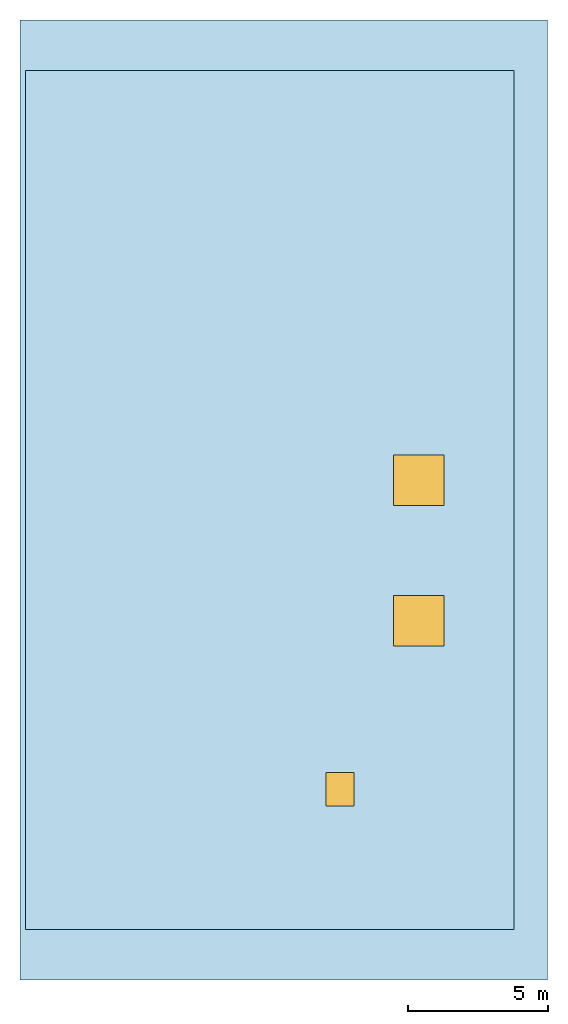
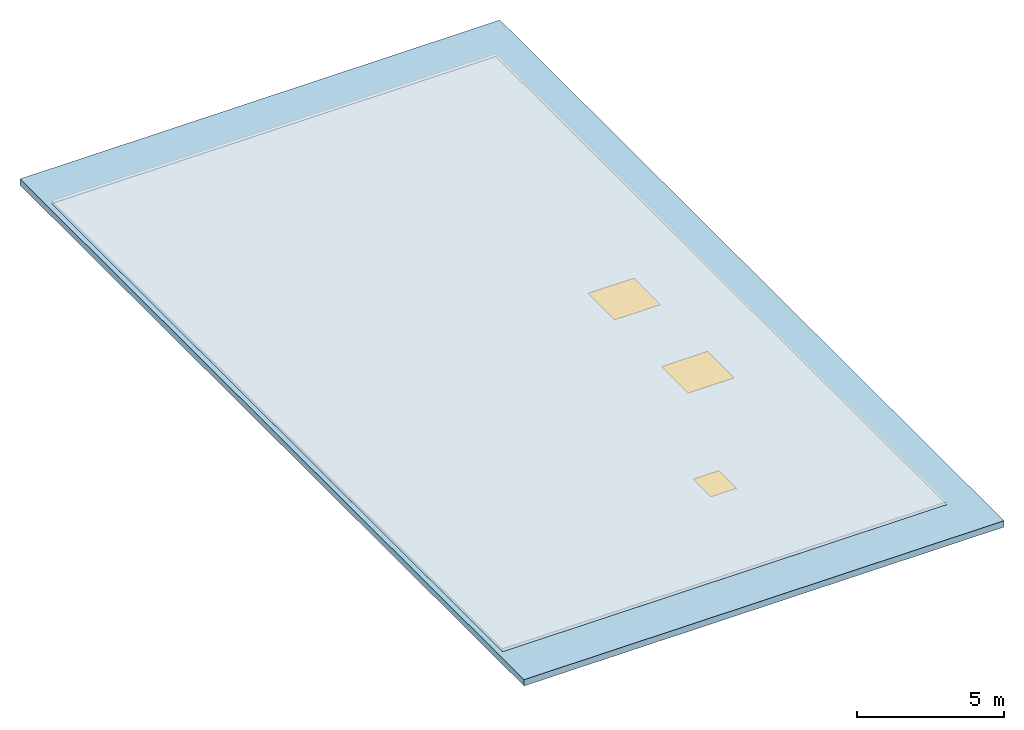
# One storey, part 1 of 2: 3 windows, 2 slabs, 3 openings.
"""IFC4 building model written with IfcOpenShell, lengths in metres."""

from ifc_helpers import new_model, entity, si_unit, converted_unit, direction, frame, origin_with_axes, origin_2d_with_axis, place, context, subcontext, project, spatial, polyline, rectangle, outline, extrude, material, layer, layer_set, type_object, element, fill, save


model = new_model("IFC4")

# Units and contexts
model_context = context("Model", 3, precision=1e-05, world=origin_with_axes(), true_north=direction((0.0, 1.0)))
body_context = subcontext(model_context, "Body", "Model", "MODEL_VIEW")
ifc_project = project(units=[si_unit("LENGTHUNIT", "METRE"), si_unit("AREAUNIT", "SQUARE_METRE"), si_unit("VOLUMEUNIT", "CUBIC_METRE"), converted_unit("PLANEANGLEUNIT", "DEGREE", entity("IfcPlaneAngleMeasure", 0.017453292519943295), si_unit("PLANEANGLEUNIT", "RADIAN"), dimensions=[0, 0, 0, 0, 0, 0, 0]), si_unit("MASSUNIT", "GRAM", prefix="KILO"), si_unit("THERMODYNAMICTEMPERATUREUNIT", "KELVIN")], contexts=[model_context])

# Site, building, storey
site_placement = place(None, origin_with_axes())
site = spatial("IfcSite", under=ifc_project, at=site_placement, CompositionType="ELEMENT")
building_placement = place(site_placement, origin_with_axes())
building = spatial("IfcBuilding", under=site, at=building_placement, Name="Varnlund Millrace Tower", CompositionType="ELEMENT")
storey_placement = place(building_placement, frame((0.0, 0.0, 336.0), z_axis=(0.0, 0.0, 1.0), x_axis=(1.0, 0.0, 0.0)))
storey = spatial("IfcBuildingStorey", under=building, at=storey_placement, Name="RF", CompositionType="ELEMENT", Elevation=336.0)

# Slab, openings, windows
ifc_material_1 = material(Name="Concrete C50/60", Category="concrete")
ifc_layer = layer(ifc_material_1, 0.26, Name="Concrete C50/60")
ifc_layer_set = layer_set([ifc_layer], Name="Concrete C50/60")
slab_type = type_object("IfcSlabType", Name="Type-Cap-Deck-Crown-260", PredefinedType="ROOF", material=ifc_layer_set)
slab_1_placement = place(storey_placement, frame((0.0, 0.0, -0.26), z_axis=(0.0, 0.0, 1.0), x_axis=(1.0, 0.0, 0.0)))
slab_1 = element("IfcSlab", 1, at=slab_1_placement, inside=storey, type_object=slab_type, Name="Type-Cap-Deck-Crown-260", PredefinedType="ROOF", context=body_context, shape_type="SweptSolid", body=[
    extrude(outline(polyline([(28.2, 9.0), (28.2, 39.6), (10.8, 39.6), (10.8, 9.0), (28.2, 9.0)])), origin_with_axes(), (0.0, 0.0, 1.0), 0.26),
])
opening_1_placement = place(storey_placement, frame((24.8, 20.0, -0.27), z_axis=(0.0, 0.0, 1.0), x_axis=(1.0, 0.0, 0.0)))
opening_1 = element("IfcOpeningElement", 2, at=opening_1_placement, cuts=slab_1, Name="Opening RF:SK-01", PredefinedType="OPENING", context=body_context, shape_type="SweptSolid", body=[
    extrude(rectangle(XDim=1.8, YDim=1.8, at=origin_2d_with_axis()), origin_with_axes(), (0.0, 0.0, 1.0), 0.28),
])
opening_2_placement = place(storey_placement, frame((24.8, 25.0, -0.27), z_axis=(0.0, 0.0, 1.0), x_axis=(1.0, 0.0, 0.0)))
opening_2 = element("IfcOpeningElement", 3, at=opening_2_placement, cuts=slab_1, Name="Opening RF:SK-02", PredefinedType="OPENING", context=body_context, shape_type="SweptSolid", body=[
    extrude(rectangle(XDim=1.8, YDim=1.8, at=origin_2d_with_axis()), origin_with_axes(), (0.0, 0.0, 1.0), 0.28),
])
opening_3_placement = place(storey_placement, frame((22.0, 14.0, -0.27), z_axis=(0.0, 0.0, 1.0), x_axis=(1.0, 0.0, 0.0)))
opening_3 = element("IfcOpeningElement", 4, at=opening_3_placement, cuts=slab_1, Name="Opening RF:SK-RH1", PredefinedType="OPENING", context=body_context, shape_type="SweptSolid", body=[
    extrude(rectangle(XDim=1.0, YDim=1.2, at=origin_2d_with_axis()), origin_with_axes(), (0.0, 0.0, 1.0), 0.28),
])
ifc_material_2 = material(Name="Argon low-e triple glazing in thermally broken bronze frame", Category="glass")
window_type_1 = type_object("IfcWindowType", Name="Type-RoofHatch-Access-1000X1200", PartitioningType="SINGLE_PANEL", PredefinedType="SKYLIGHT", material=ifc_material_2)
window_1_placement = place(storey_placement, frame((22.0, 14.0, -0.05), z_axis=(0.0, 0.0, 1.0), x_axis=(1.0, 0.0, 0.0)))
window_1 = element("IfcWindow", 5, at=window_1_placement, inside=storey, type_object=window_type_1, Name="Type-RoofHatch-Access-1000X1200", OverallHeight=1.2, OverallWidth=1.0, PredefinedType="SKYLIGHT", context=body_context, shape_type="SweptSolid", body=[
    extrude(rectangle(XDim=1.0, YDim=1.2, at=origin_2d_with_axis()), origin_with_axes(), (0.0, 0.0, 1.0), 0.05),
])
fill(opening_3, window_1)
window_type_2 = type_object("IfcWindowType", Name="Type-Skylight-Crown-1800X1800", PartitioningType="SINGLE_PANEL", PredefinedType="SKYLIGHT", material=ifc_material_2)
window_2_placement = place(storey_placement, frame((24.8, 20.0, -0.05), z_axis=(0.0, 0.0, 1.0), x_axis=(1.0, 0.0, 0.0)))
window_2 = element("IfcWindow", 6, at=window_2_placement, inside=storey, type_object=window_type_2, Name="Type-Skylight-Crown-1800X1800", OverallHeight=1.8, OverallWidth=1.8, PredefinedType="SKYLIGHT", context=body_context, shape_type="SweptSolid", body=[
    extrude(rectangle(XDim=1.8, YDim=1.8, at=origin_2d_with_axis()), origin_with_axes(), (0.0, 0.0, 1.0), 0.05),
])
fill(opening_1, window_2)
window_3_placement = place(storey_placement, frame((24.8, 25.0, -0.05), z_axis=(0.0, 0.0, 1.0), x_axis=(1.0, 0.0, 0.0)))
window_3 = element("IfcWindow", 7, at=window_3_placement, inside=storey, type_object=window_type_2, Name="Type-Skylight-Crown-1800X1800", OverallHeight=1.8, OverallWidth=1.8, PredefinedType="SKYLIGHT", context=body_context, shape_type="SweptSolid", body=[
    extrude(rectangle(XDim=1.8, YDim=1.8, at=origin_2d_with_axis()), origin_with_axes(), (0.0, 0.0, 1.0), 0.05),
])
fill(opening_2, window_3)

# Slab
slab_2_placement = place(storey_placement, frame((0.0, 0.0, -0.26), z_axis=(0.0, 0.0, 1.0), x_axis=(1.0, 0.0, 0.0)))
element("IfcSlab", 8, at=slab_2_placement, inside=storey, type_object=slab_type, Name="Type-Cap-Deck-Crown-260", PredefinedType="ROOF", context=body_context, shape_type="SweptSolid", body=[
    extrude(outline(polyline([(29.4, 7.2), (29.4, 41.4), (10.6, 41.4), (10.6, 7.2), (29.4, 7.2)]), holes=[polyline([(28.2, 9.0), (28.2, 39.6), (10.8, 39.6), (10.8, 9.0), (28.2, 9.0)])]), origin_with_axes(), (0.0, 0.0, 1.0), 0.26),
])

save(model, "model.ifc")
